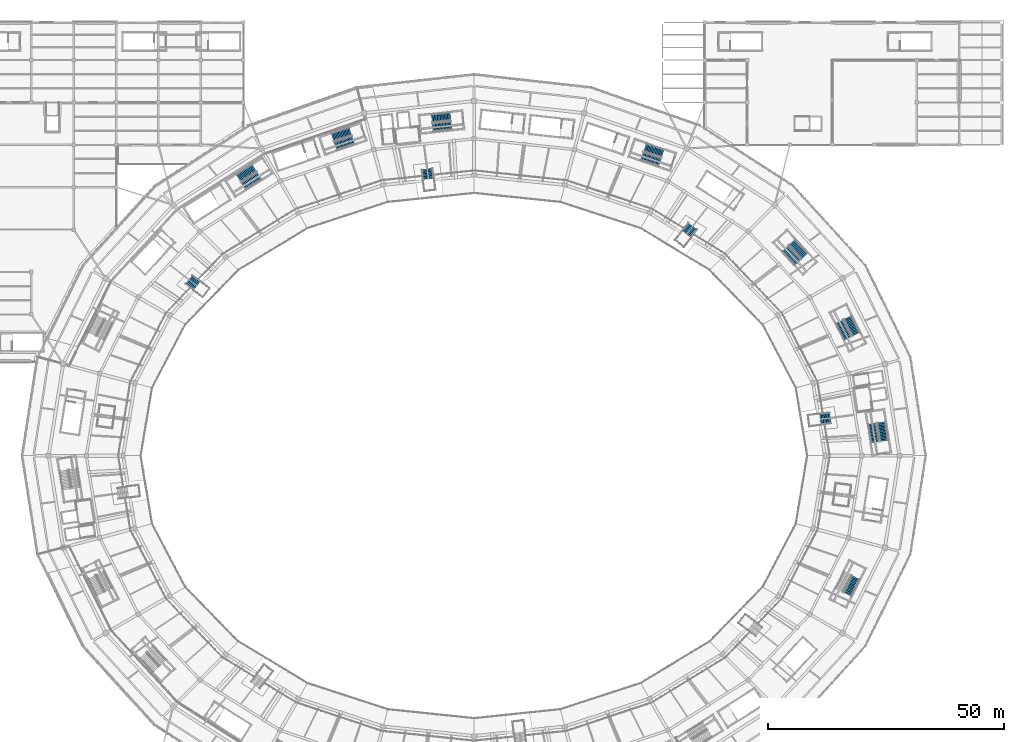
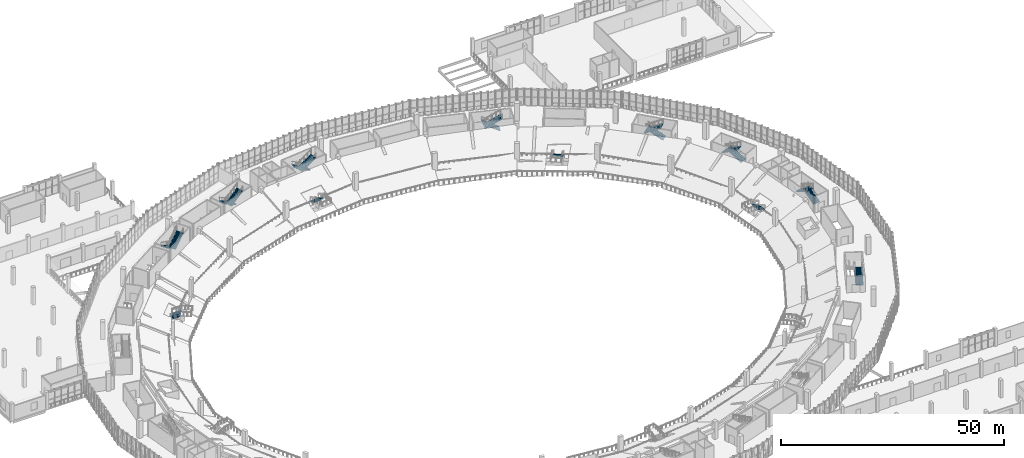
# One storey, part 104 of 152: 19 stair flights, 12 elements without a shape of their own.
"""IFC4 building model written with IfcOpenShell, lengths in metres."""

import ifcopenshell
import ifcopenshell.guid

model = None  # the IFC model being written
_history = None  # IfcOwnerHistory: only IFC2X3 demands one
_inside = {}  # id of a spatial element -> (the spatial element, [elements in it])
_under = {}  # id of a project, library or spatial element -> (it, [spatial elements below it])
_declared = {}  # id of a project -> (the project, [libraries it declares])
_typed = {}  # id of a type object -> (the type object, [elements of that type])
_made_of = {}  # id of a material, layer set ... -> (it, [elements and type objects made of it])


def new_model(schema):
    """Start an empty IFC model of exactly this schema.

    Asked for "IFC4X3", IfcOpenShell would pick the latest addendum, in which some entities
    have other attributes; the version numbers below select the first issue.
    IFC2X3 requires an IfcOwnerHistory on every rooted entity: one is made here for all.
    """
    global model, _history
    if schema == "IFC4X3":
        model = ifcopenshell.file(schema_version=(4, 3, 0, 0))
    else:
        model = ifcopenshell.file(schema=schema)
    _inside.clear()
    _under.clear()
    _declared.clear()
    _typed.clear()
    _made_of.clear()
    _history = None
    if model.schema == "IFC2X3":
        org = make("IfcOrganization", Name="unknown")
        user = make(
            "IfcPersonAndOrganization",
            ThePerson=make("IfcPerson", FamilyName="unknown"),
            TheOrganization=org,
        )
        app = make(
            "IfcApplication",
            ApplicationDeveloper=org,
            Version="unknown",
            ApplicationFullName="unknown",
            ApplicationIdentifier="unknown",
        )
        _history = make(
            "IfcOwnerHistory",
            OwningUser=user,
            OwningApplication=app,
            ChangeAction="ADDED",
            CreationDate=0,
        )
    return model


def make(cls, **values):
    """One entity of the class cls with the attributes given. An attribute that is None is left unset."""
    return model.create_entity(
        cls, **{name: value for name, value in values.items() if value is not None}
    )


def rooted(cls, **values):
    """An entity with a GlobalId (a new one), such as an element, a storey or a relation."""
    return make(cls, GlobalId=ifcopenshell.guid.new(), OwnerHistory=_history, **values)


def si_unit(unit_type, name, prefix=None):
    """IfcSIUnit, for example si_unit("LENGTHUNIT", "METRE", prefix="MILLI")."""
    return make("IfcSIUnit", UnitType=unit_type, Prefix=prefix, Name=name)


def assignment(units):
    """IfcUnitAssignment: the units of a project."""
    return None if units is None else make("IfcUnitAssignment", Units=units)


def point(xyz):
    """IfcCartesianPoint."""
    return None if xyz is None else make("IfcCartesianPoint", Coordinates=xyz)


def direction(xyz):
    """IfcDirection."""
    return None if xyz is None else make("IfcDirection", DirectionRatios=xyz)


def frame(location, z_axis=None, x_axis=None):
    """IfcAxis2Placement3D, a coordinate frame: its origin and axes. An axis left out is left unset."""
    return make(
        "IfcAxis2Placement3D",
        Location=point(location),
        Axis=direction(z_axis),
        RefDirection=direction(x_axis),
    )


def origin():
    """The frame at (0, 0, 0) with its axes left unset."""
    return frame((0.0, 0.0, 0.0))


def place(relative_to, where):
    """IfcLocalPlacement: puts the frame where relative to a parent placement (None: the world)."""
    return make(
        "IfcLocalPlacement", PlacementRelTo=relative_to, RelativePlacement=where
    )


def context(
    kind, dimensions, precision=None, world=None, true_north=None, identifier=None
):
    """IfcGeometricRepresentationContext, for example the 3D "Model" context."""
    return make(
        "IfcGeometricRepresentationContext",
        ContextIdentifier=identifier,
        ContextType=kind,
        CoordinateSpaceDimension=dimensions,
        Precision=precision,
        WorldCoordinateSystem=world,
        TrueNorth=true_north,
    )


def subcontext(parent, identifier, kind, view, scale=None):
    """IfcGeometricRepresentationSubContext, for example "Body" below "Model"."""
    return make(
        "IfcGeometricRepresentationSubContext",
        ContextIdentifier=identifier,
        ContextType=kind,
        ParentContext=parent,
        TargetScale=scale,
        TargetView=view,
    )


def project(units=None, contexts=None):
    """IfcProject with its units and contexts."""
    return rooted(
        "IfcProject",
        Name="project",
        RepresentationContexts=contexts,
        UnitsInContext=assignment(units),
    )


def spatial(cls, under=None, at=None, **own):
    """A site, building, storey or space (cls), placed at a placement, below another one or the project."""
    s = rooted(cls, ObjectPlacement=at, **own)
    if under is not None:
        _under.setdefault(under.id(), (under, []))[1].append(s)
    return s


def polyline(points):
    """IfcPolyline through the points."""
    return make("IfcPolyline", Points=[point(p) for p in points])


def outline(outer, holes=None, kind="AREA"):
    """IfcArbitraryClosedProfileDef: a profile drawn as a closed curve; with holes, ...WithVoids."""
    if holes is None:
        return make("IfcArbitraryClosedProfileDef", ProfileType=kind, OuterCurve=outer)
    return make(
        "IfcArbitraryProfileDefWithVoids",
        ProfileType=kind,
        OuterCurve=outer,
        InnerCurves=holes,
    )


def extrude(swept, where, along, depth):
    """IfcExtrudedAreaSolid: the profile swept, set in the frame where, extruded along a direction by depth."""
    return make(
        "IfcExtrudedAreaSolid",
        SweptArea=swept,
        Position=where,
        ExtrudedDirection=direction(along),
        Depth=depth,
    )


def shape(context_of_items, identifier, shape_type, items):
    """IfcShapeRepresentation: the items that make up one representation, for example the "Body"."""
    return make(
        "IfcShapeRepresentation",
        ContextOfItems=context_of_items,
        RepresentationIdentifier=identifier,
        RepresentationType=shape_type,
        Items=items,
    )


def material(Name=None, Category=None):
    """IfcMaterial."""
    return make("IfcMaterial", Name=Name, Category=Category)


def made_of(thing, what):
    """Note that an element or type object is made of a material, layer set ...; save() writes the relation."""
    if what is not None:
        _made_of.setdefault(what.id(), (what, []))[1].append(thing)
    return thing


def type_object(cls, material=None, **own):
    """A type object (cls), such as IfcWallType, which elements share."""
    return made_of(rooted(cls, **own), material)


def element(
    cls,
    number,
    at=None,
    inside=None,
    cuts=None,
    type_object=None,
    material=None,
    context=None,
    identifier="Body",
    shape_type=None,
    held_by="IfcProductDefinitionShape",
    body=None,
    shapes=None,
    **own,
):
    """One element of the class cls, such as IfcWall. Its Tag is "e" and its number.

    at: its placement. inside: the storey or other place that contains it. cuts: it is an
    opening in that element (IfcRelVoidsElement). A single representation is given by context,
    identifier, shape_type and body (its items); several are given by shapes. held_by: the class
    of the entity that holds the representations. save() writes the other relations.
    """
    e = rooted(cls, Tag="e%d" % number, ObjectPlacement=at, **own)
    if body is not None:
        shapes = [shape(context, identifier, shape_type, body)]
    if shapes is not None:
        e.Representation = make(held_by, Representations=shapes)
    if inside is not None:
        _inside.setdefault(inside.id(), (inside, []))[1].append(e)
    if cuts is not None:
        rooted(
            "IfcRelVoidsElement", RelatingBuildingElement=cuts, RelatedOpeningElement=e
        )
    if type_object is not None:
        _typed.setdefault(type_object.id(), (type_object, []))[1].append(e)
    return made_of(e, material)


def aggregate(whole, parts):
    """IfcRelAggregates: a whole, such as a stair, and the parts it consists of."""
    return rooted("IfcRelAggregates", RelatingObject=whole, RelatedObjects=parts)


def save(model, path):
    """Write the relations noted so far, then the file.

    IfcRelAggregates (storeys below a building ...), IfcRelContainedInSpatialStructure (elements
    in a storey), IfcRelDefinesByType, IfcRelAssociatesMaterial and IfcRelDeclares: one each for
    every whole, place, type object, material and project.
    """
    for whole, parts in _under.values():
        aggregate(whole, parts)
    for where, things in _inside.values():
        rooted(
            "IfcRelContainedInSpatialStructure",
            RelatedElements=things,
            RelatingStructure=where,
        )
    for kind, things in _typed.values():
        rooted("IfcRelDefinesByType", RelatedObjects=things, RelatingType=kind)
    for what, things in _made_of.values():
        rooted("IfcRelAssociatesMaterial", RelatedObjects=things, RelatingMaterial=what)
    for by, libraries in _declared.values():
        rooted("IfcRelDeclares", RelatingContext=by, RelatedDefinitions=libraries)
    model.write(path)


model = new_model("IFC4")

# Units and contexts
model_context = context("Model", 3, precision=1e-05, world=origin(), true_north=direction((0.0, 1.0)))
body_context = subcontext(model_context, "Body", "Model", "MODEL_VIEW")
ifc_project = project(units=[si_unit("LENGTHUNIT", "METRE"), si_unit("AREAUNIT", "SQUARE_METRE"), si_unit("VOLUMEUNIT", "CUBIC_METRE"), si_unit("PLANEANGLEUNIT", "RADIAN"), si_unit("MASSUNIT", "GRAM", prefix="KILO")], contexts=[model_context])

# Site, building, storey
site_placement = place(None, origin())
site = spatial("IfcSite", under=ifc_project, at=site_placement, CompositionType="ELEMENT")
building_placement = place(site_placement, origin())
building = spatial("IfcBuilding", under=site, at=building_placement, Name="Zevraka Park Crest Stadium", CompositionType="ELEMENT")
storey_placement = place(building_placement, frame((0.0, 0.0, 15.0)))
storey = spatial("IfcBuildingStorey", under=building, at=storey_placement, Name="L03", CompositionType="ELEMENT", Elevation=15.0)

# Stair, stair flights
ifc_material_1 = material(Name="Concrete C35/45", Category="concrete")
stair_type_1 = type_object("IfcStairType", Name="STA2", PredefinedType="HALF_TURN_STAIR", material=ifc_material_1)
stair_1_placement = place(storey_placement, origin())
stair_1 = element("IfcStair", 1, at=stair_1_placement, inside=storey, type_object=stair_type_1, Name="L03 Protected Concourse Exit Stair ST01", PredefinedType="HALF_TURN_STAIR")
ifc_material_2 = material(Name="Concrete C35/45", Category="concrete")
stair_flight_type_1 = type_object("IfcStairFlightType", Name="FLA2", PredefinedType="STRAIGHT", material=ifc_material_2)
stair_flight_1_placement = place(storey_placement, frame((199.0859375, 95.17333984375, 0.0), z_axis=(0.0, 0.0, 1.0), x_axis=(-0.157261853897, 0.987556939781, 0.0)))
stair_flight_1 = element("IfcStairFlight", 2, at=stair_flight_1_placement, type_object=stair_flight_type_1, Name="ST01 flight 1", NumberOfRisers=14, NumberOfTreads=13, PredefinedType="STRAIGHT", RiserHeight=0.171428571, TreadLength=0.305, context=body_context, shape_type="SweptSolid", body=[
    extrude(outline(polyline([(0.0, 0.0), (0.0, 0.17138671875), (0.304931640625, 0.17138671875), (0.304931640625, 0.3427734375), (0.610107421875, 0.3427734375), (0.610107421875, 0.514404296875), (0.9150390625, 0.514404296875), (0.9150390625, 0.685791015625), (1.219970703125, 0.685791015625), (1.219970703125, 0.857177734375), (1.52490234375, 0.857177734375), (1.52490234375, 1.028564453125), (1.830078125, 1.028564453125), (1.830078125, 1.199951171875), (2.135009765625, 1.199951171875), (2.135009765625, 1.371337890625), (2.43994140625, 1.371337890625), (2.43994140625, 1.54296875), (2.7451171875, 1.54296875), (2.7451171875, 1.71435546875), (3.050048828125, 1.71435546875), (3.050048828125, 1.8857421875), (3.35498046875, 1.8857421875), (3.35498046875, 2.05712890625), (3.659912109375, 2.05712890625), (3.659912109375, 2.228515625), (3.965087890625, 2.228515625), (3.965087890625, 2.39990234375), (3.965087890625, 2.045166015625), (0.326416015625, 0.0), (0.0, 0.0)])), frame((0.0, 0.89990234375, 0.0), z_axis=(0.0, -1.0, 0.0), x_axis=(1.0, 0.0, 0.0)), (0.0, 0.0, 1.0), 1.800048828125),
])
stair_flight_2_placement = place(storey_placement, frame((196.52685546875, 98.78076171875, 2.39990234375), z_axis=(0.0, 0.0, 1.0), x_axis=(0.157261853897, -0.987556939781, 0.0)))
stair_flight_2 = element("IfcStairFlight", 3, at=stair_flight_2_placement, type_object=stair_flight_type_1, Name="ST01 flight 2", NumberOfRisers=14, NumberOfTreads=13, PredefinedType="STRAIGHT", RiserHeight=0.171428571, TreadLength=0.305, context=body_context, shape_type="SweptSolid", body=[
    extrude(outline(polyline([(0.0, 0.0), (0.0, 0.17138671875), (0.304931640625, 0.17138671875), (0.304931640625, 0.3427734375), (0.610107421875, 0.3427734375), (0.610107421875, 0.514404296875), (0.9150390625, 0.514404296875), (0.9150390625, 0.685791015625), (1.219970703125, 0.685791015625), (1.219970703125, 0.857177734375), (1.52490234375, 0.857177734375), (1.52490234375, 1.028564453125), (1.830078125, 1.028564453125), (1.830078125, 1.199951171875), (2.135009765625, 1.199951171875), (2.135009765625, 1.371337890625), (2.43994140625, 1.371337890625), (2.43994140625, 1.54296875), (2.7451171875, 1.54296875), (2.7451171875, 1.71435546875), (3.050048828125, 1.71435546875), (3.050048828125, 1.8857421875), (3.35498046875, 1.8857421875), (3.35498046875, 2.05712890625), (3.659912109375, 2.05712890625), (3.659912109375, 2.228515625), (3.965087890625, 2.228515625), (3.965087890625, 2.39990234375), (3.965087890625, 2.045166015625), (0.326416015625, 0.0), (0.0, 0.0)])), frame((0.0, 0.89990234375, 0.0), z_axis=(0.0, -1.0, 0.0), x_axis=(1.0, 0.0, 0.0)), (0.0, 0.0, 1.0), 1.800048828125),
])
aggregate(stair_1, [stair_flight_1, stair_flight_2])

stair_2_placement = place(storey_placement, origin())
stair_2 = element("IfcStair", 4, at=stair_2_placement, inside=storey, type_object=stair_type_1, Name="L03 Protected Concourse Exit Stair ST02", PredefinedType="HALF_TURN_STAIR")
stair_flight_3_placement = place(storey_placement, frame((193.1064453125, 117.7939453125, 0.0), z_axis=(0.0, 0.0, 1.0), x_axis=(-0.447915140373, 0.894076074518, 0.0)))
stair_flight_3 = element("IfcStairFlight", 5, at=stair_flight_3_placement, type_object=stair_flight_type_1, Name="ST02 flight 1", NumberOfRisers=14, NumberOfTreads=13, PredefinedType="STRAIGHT", RiserHeight=0.171428571, TreadLength=0.305, context=body_context, shape_type="SweptSolid", body=[
    extrude(outline(polyline([(0.0, 0.0), (0.0, 0.17138671875), (0.304931640625, 0.17138671875), (0.304931640625, 0.3427734375), (0.610107421875, 0.3427734375), (0.610107421875, 0.514404296875), (0.9150390625, 0.514404296875), (0.9150390625, 0.685791015625), (1.219970703125, 0.685791015625), (1.219970703125, 0.857177734375), (1.52490234375, 0.857177734375), (1.52490234375, 1.028564453125), (1.830078125, 1.028564453125), (1.830078125, 1.199951171875), (2.135009765625, 1.199951171875), (2.135009765625, 1.371337890625), (2.43994140625, 1.371337890625), (2.43994140625, 1.54296875), (2.7451171875, 1.54296875), (2.7451171875, 1.71435546875), (3.050048828125, 1.71435546875), (3.050048828125, 1.8857421875), (3.35498046875, 1.8857421875), (3.35498046875, 2.05712890625), (3.659912109375, 2.05712890625), (3.659912109375, 2.228515625), (3.965087890625, 2.228515625), (3.965087890625, 2.39990234375), (3.965087890625, 2.045166015625), (0.326416015625, 0.0), (0.0, 0.0)])), frame((0.0, 0.89990234375, 0.0), z_axis=(0.0, -1.0, 0.0), x_axis=(1.0, 0.0, 0.0)), (0.0, 0.0, 1.0), 1.800048828125),
])
stair_flight_4_placement = place(storey_placement, frame((189.578125, 120.461181640625, 2.39990234375), z_axis=(0.0, 0.0, 1.0), x_axis=(0.447915140373, -0.894076074518, 0.0)))
stair_flight_4 = element("IfcStairFlight", 6, at=stair_flight_4_placement, type_object=stair_flight_type_1, Name="ST02 flight 2", NumberOfRisers=14, NumberOfTreads=13, PredefinedType="STRAIGHT", RiserHeight=0.171428571, TreadLength=0.305, context=body_context, shape_type="SweptSolid", body=[
    extrude(outline(polyline([(0.0, 0.0), (0.0, 0.17138671875), (0.304931640625, 0.17138671875), (0.304931640625, 0.3427734375), (0.610107421875, 0.3427734375), (0.610107421875, 0.514404296875), (0.9150390625, 0.514404296875), (0.9150390625, 0.685791015625), (1.219970703125, 0.685791015625), (1.219970703125, 0.857177734375), (1.52490234375, 0.857177734375), (1.52490234375, 1.028564453125), (1.830078125, 1.028564453125), (1.830078125, 1.199951171875), (2.135009765625, 1.199951171875), (2.135009765625, 1.371337890625), (2.43994140625, 1.371337890625), (2.43994140625, 1.54296875), (2.7451171875, 1.54296875), (2.7451171875, 1.71435546875), (3.050048828125, 1.71435546875), (3.050048828125, 1.8857421875), (3.35498046875, 1.8857421875), (3.35498046875, 2.05712890625), (3.659912109375, 2.05712890625), (3.659912109375, 2.228515625), (3.965087890625, 2.228515625), (3.965087890625, 2.39990234375), (3.965087890625, 2.045166015625), (0.326416015625, 0.0), (0.0, 0.0)])), frame((0.0, 0.89990234375, 0.0), z_axis=(0.0, -1.0, 0.0), x_axis=(1.0, 0.0, 0.0)), (0.0, 0.0, 1.0), 1.800048828125),
])
aggregate(stair_2, [stair_flight_3, stair_flight_4])

stair_3_placement = place(storey_placement, origin())
stair_3 = element("IfcStair", 7, at=stair_3_placement, inside=storey, type_object=stair_type_1, Name="L03 Protected Concourse Exit Stair ST03", PredefinedType="HALF_TURN_STAIR")
stair_flight_5_placement = place(storey_placement, frame((182.212646484375, 134.396240234375, 0.0), z_axis=(0.0, 0.0, 1.0), x_axis=(-0.680255347227, 0.732975212793, 0.0)))
stair_flight_5 = element("IfcStairFlight", 8, at=stair_flight_5_placement, type_object=stair_flight_type_1, Name="ST03 flight 1", NumberOfRisers=14, NumberOfTreads=13, PredefinedType="STRAIGHT", RiserHeight=0.171428571, TreadLength=0.305, context=body_context, shape_type="SweptSolid", body=[
    extrude(outline(polyline([(0.0, 0.0), (0.0, 0.17138671875), (0.304931640625, 0.17138671875), (0.304931640625, 0.3427734375), (0.610107421875, 0.3427734375), (0.610107421875, 0.514404296875), (0.9150390625, 0.514404296875), (0.9150390625, 0.685791015625), (1.219970703125, 0.685791015625), (1.219970703125, 0.857177734375), (1.52490234375, 0.857177734375), (1.52490234375, 1.028564453125), (1.830078125, 1.028564453125), (1.830078125, 1.199951171875), (2.135009765625, 1.199951171875), (2.135009765625, 1.371337890625), (2.43994140625, 1.371337890625), (2.43994140625, 1.54296875), (2.7451171875, 1.54296875), (2.7451171875, 1.71435546875), (3.050048828125, 1.71435546875), (3.050048828125, 1.8857421875), (3.35498046875, 1.8857421875), (3.35498046875, 2.05712890625), (3.659912109375, 2.05712890625), (3.659912109375, 2.228515625), (3.965087890625, 2.228515625), (3.965087890625, 2.39990234375), (3.965087890625, 2.045166015625), (0.326416015625, 0.0), (0.0, 0.0)])), frame((0.0, 0.89990234375, 0.0), z_axis=(0.0, -1.0, 0.0), x_axis=(1.0, 0.0, 0.0)), (0.0, 0.0, 1.0), 1.800048828125),
])
stair_flight_6_placement = place(storey_placement, frame((178.078857421875, 135.96923828125, 2.39990234375), z_axis=(0.0, 0.0, 1.0), x_axis=(0.680255347227, -0.732975212793, 0.0)))
stair_flight_6 = element("IfcStairFlight", 9, at=stair_flight_6_placement, type_object=stair_flight_type_1, Name="ST03 flight 2", NumberOfRisers=14, NumberOfTreads=13, PredefinedType="STRAIGHT", RiserHeight=0.171428571, TreadLength=0.305, context=body_context, shape_type="SweptSolid", body=[
    extrude(outline(polyline([(0.0, 0.0), (0.0, 0.17138671875), (0.304931640625, 0.17138671875), (0.304931640625, 0.3427734375), (0.610107421875, 0.3427734375), (0.610107421875, 0.514404296875), (0.9150390625, 0.514404296875), (0.9150390625, 0.685791015625), (1.219970703125, 0.685791015625), (1.219970703125, 0.857177734375), (1.52490234375, 0.857177734375), (1.52490234375, 1.028564453125), (1.830078125, 1.028564453125), (1.830078125, 1.199951171875), (2.135009765625, 1.199951171875), (2.135009765625, 1.371337890625), (2.43994140625, 1.371337890625), (2.43994140625, 1.54296875), (2.7451171875, 1.54296875), (2.7451171875, 1.71435546875), (3.050048828125, 1.71435546875), (3.050048828125, 1.8857421875), (3.35498046875, 1.8857421875), (3.35498046875, 2.05712890625), (3.659912109375, 2.05712890625), (3.659912109375, 2.228515625), (3.965087890625, 2.228515625), (3.965087890625, 2.39990234375), (3.965087890625, 2.045166015625), (0.326416015625, 0.0), (0.0, 0.0)])), frame((0.0, 0.89990234375, 0.0), z_axis=(0.0, -1.0, 0.0), x_axis=(1.0, 0.0, 0.0)), (0.0, 0.0, 1.0), 1.800048828125),
])
aggregate(stair_3, [stair_flight_5, stair_flight_6])

stair_4_placement = place(storey_placement, origin())
stair_4 = element("IfcStair", 10, at=stair_4_placement, inside=storey, type_object=stair_type_1, Name="L03 Protected Concourse Exit Stair ST05", PredefinedType="HALF_TURN_STAIR")
stair_flight_7_placement = place(storey_placement, frame((152.057373046875, 156.154541015625, 0.0), z_axis=(0.0, 0.0, 1.0), x_axis=(-0.946066135515, 0.323973559463, 0.0)))
stair_flight_7 = element("IfcStairFlight", 11, at=stair_flight_7_placement, type_object=stair_flight_type_1, Name="ST05 flight 1", NumberOfRisers=14, NumberOfTreads=13, PredefinedType="STRAIGHT", RiserHeight=0.171428571, TreadLength=0.305, context=body_context, shape_type="SweptSolid", body=[
    extrude(outline(polyline([(0.0, 0.0), (0.0, 0.17138671875), (0.304931640625, 0.17138671875), (0.304931640625, 0.3427734375), (0.610107421875, 0.3427734375), (0.610107421875, 0.514404296875), (0.9150390625, 0.514404296875), (0.9150390625, 0.685791015625), (1.219970703125, 0.685791015625), (1.219970703125, 0.857177734375), (1.52490234375, 0.857177734375), (1.52490234375, 1.028564453125), (1.830078125, 1.028564453125), (1.830078125, 1.199951171875), (2.135009765625, 1.199951171875), (2.135009765625, 1.371337890625), (2.43994140625, 1.371337890625), (2.43994140625, 1.54296875), (2.7451171875, 1.54296875), (2.7451171875, 1.71435546875), (3.050048828125, 1.71435546875), (3.050048828125, 1.8857421875), (3.35498046875, 1.8857421875), (3.35498046875, 2.05712890625), (3.659912109375, 2.05712890625), (3.659912109375, 2.228515625), (3.965087890625, 2.228515625), (3.965087890625, 2.39990234375), (3.965087890625, 2.045166015625), (0.326416015625, 0.0), (0.0, 0.0)])), frame((0.0, 0.89990234375, 0.0), z_axis=(0.0, -1.0, 0.0), x_axis=(1.0, 0.0, 0.0)), (0.0, 0.0, 1.0), 1.800048828125),
])
stair_flight_8_placement = place(storey_placement, frame((147.671142578125, 155.584716796875, 2.39990234375), z_axis=(0.0, 0.0, 1.0), x_axis=(0.946066135515, -0.323973559463, 0.0)))
stair_flight_8 = element("IfcStairFlight", 12, at=stair_flight_8_placement, type_object=stair_flight_type_1, Name="ST05 flight 2", NumberOfRisers=14, NumberOfTreads=13, PredefinedType="STRAIGHT", RiserHeight=0.171428571, TreadLength=0.305, context=body_context, shape_type="SweptSolid", body=[
    extrude(outline(polyline([(0.0, 0.0), (0.0, 0.17138671875), (0.304931640625, 0.17138671875), (0.304931640625, 0.3427734375), (0.610107421875, 0.3427734375), (0.610107421875, 0.514404296875), (0.9150390625, 0.514404296875), (0.9150390625, 0.685791015625), (1.219970703125, 0.685791015625), (1.219970703125, 0.857177734375), (1.52490234375, 0.857177734375), (1.52490234375, 1.028564453125), (1.830078125, 1.028564453125), (1.830078125, 1.199951171875), (2.135009765625, 1.199951171875), (2.135009765625, 1.371337890625), (2.43994140625, 1.371337890625), (2.43994140625, 1.54296875), (2.7451171875, 1.54296875), (2.7451171875, 1.71435546875), (3.050048828125, 1.71435546875), (3.050048828125, 1.8857421875), (3.35498046875, 1.8857421875), (3.35498046875, 2.05712890625), (3.659912109375, 2.05712890625), (3.659912109375, 2.228515625), (3.965087890625, 2.228515625), (3.965087890625, 2.39990234375), (3.965087890625, 2.045166015625), (0.326416015625, 0.0), (0.0, 0.0)])), frame((0.0, 0.89990234375, 0.0), z_axis=(0.0, -1.0, 0.0), x_axis=(1.0, 0.0, 0.0)), (0.0, 0.0, 1.0), 1.800048828125),
])
aggregate(stair_4, [stair_flight_7, stair_flight_8])

stair_5_placement = place(storey_placement, origin())
stair_5 = element("IfcStair", 13, at=stair_5_placement, inside=storey, type_object=stair_type_1, Name="L03 Protected Concourse Exit Stair ST07", PredefinedType="HALF_TURN_STAIR")
stair_flight_9_placement = place(storey_placement, frame((106.97509765625, 164.038818359375, 0.0), z_axis=(0.0, 0.0, 1.0), x_axis=(-0.994127567381, -0.108214508149, 0.0)))
stair_flight_9 = element("IfcStairFlight", 14, at=stair_flight_9_placement, type_object=stair_flight_type_1, Name="ST07 flight 1", NumberOfRisers=14, NumberOfTreads=13, PredefinedType="STRAIGHT", RiserHeight=0.171428571, TreadLength=0.305, context=body_context, shape_type="SweptSolid", body=[
    extrude(outline(polyline([(0.0, 0.0), (0.0, 0.17138671875), (0.304931640625, 0.17138671875), (0.304931640625, 0.3427734375), (0.610107421875, 0.3427734375), (0.610107421875, 0.514404296875), (0.9150390625, 0.514404296875), (0.9150390625, 0.685791015625), (1.219970703125, 0.685791015625), (1.219970703125, 0.857177734375), (1.52490234375, 0.857177734375), (1.52490234375, 1.028564453125), (1.830078125, 1.028564453125), (1.830078125, 1.199951171875), (2.135009765625, 1.199951171875), (2.135009765625, 1.371337890625), (2.43994140625, 1.371337890625), (2.43994140625, 1.54296875), (2.7451171875, 1.54296875), (2.7451171875, 1.71435546875), (3.050048828125, 1.71435546875), (3.050048828125, 1.8857421875), (3.35498046875, 1.8857421875), (3.35498046875, 2.05712890625), (3.659912109375, 2.05712890625), (3.659912109375, 2.228515625), (3.965087890625, 2.228515625), (3.965087890625, 2.39990234375), (3.965087890625, 2.045166015625), (0.326416015625, 0.0), (0.0, 0.0)])), frame((0.0, 0.89990234375, 0.0), z_axis=(0.0, -1.0, 0.0), x_axis=(1.0, 0.0, 0.0)), (0.0, 0.0, 1.0), 1.800048828125),
])
stair_flight_10_placement = place(storey_placement, frame((103.245361328125, 161.6611328125, 2.39990234375), z_axis=(0.0, 0.0, 1.0), x_axis=(0.994127567381, 0.108214508149, 0.0)))
stair_flight_10 = element("IfcStairFlight", 15, at=stair_flight_10_placement, type_object=stair_flight_type_1, Name="ST07 flight 2", NumberOfRisers=14, NumberOfTreads=13, PredefinedType="STRAIGHT", RiserHeight=0.171428571, TreadLength=0.305, context=body_context, shape_type="SweptSolid", body=[
    extrude(outline(polyline([(0.0, 0.0), (0.0, 0.17138671875), (0.304931640625, 0.17138671875), (0.304931640625, 0.3427734375), (0.610107421875, 0.3427734375), (0.610107421875, 0.514404296875), (0.9150390625, 0.514404296875), (0.9150390625, 0.685791015625), (1.219970703125, 0.685791015625), (1.219970703125, 0.857177734375), (1.52490234375, 0.857177734375), (1.52490234375, 1.028564453125), (1.830078125, 1.028564453125), (1.830078125, 1.199951171875), (2.135009765625, 1.199951171875), (2.135009765625, 1.371337890625), (2.43994140625, 1.371337890625), (2.43994140625, 1.54296875), (2.7451171875, 1.54296875), (2.7451171875, 1.71435546875), (3.050048828125, 1.71435546875), (3.050048828125, 1.8857421875), (3.35498046875, 1.8857421875), (3.35498046875, 2.05712890625), (3.659912109375, 2.05712890625), (3.659912109375, 2.228515625), (3.965087890625, 2.228515625), (3.965087890625, 2.39990234375), (3.965087890625, 2.045166015625), (0.326416015625, 0.0), (0.0, 0.0)])), frame((0.0, 0.89990234375, 0.0), z_axis=(0.0, -1.0, 0.0), x_axis=(1.0, 0.0, 0.0)), (0.0, 0.0, 1.0), 1.800048828125),
])
aggregate(stair_5, [stair_flight_9, stair_flight_10])

stair_6_placement = place(storey_placement, origin())
stair_6 = element("IfcStair", 16, at=stair_6_placement, inside=storey, type_object=stair_type_1, Name="L03 Protected Concourse Exit Stair ST08", PredefinedType="HALF_TURN_STAIR")
stair_flight_11_placement = place(storey_placement, frame((85.70849609375, 160.86767578125, 0.0), z_axis=(0.0, 0.0, 1.0), x_axis=(-0.946066135515, -0.323973559463, 0.0)))
stair_flight_11 = element("IfcStairFlight", 17, at=stair_flight_11_placement, type_object=stair_flight_type_1, Name="ST08 flight 1", NumberOfRisers=14, NumberOfTreads=13, PredefinedType="STRAIGHT", RiserHeight=0.171428571, TreadLength=0.305, context=body_context, shape_type="SweptSolid", body=[
    extrude(outline(polyline([(0.0, 0.0), (0.0, 0.17138671875), (0.304931640625, 0.17138671875), (0.304931640625, 0.3427734375), (0.610107421875, 0.3427734375), (0.610107421875, 0.514404296875), (0.9150390625, 0.514404296875), (0.9150390625, 0.685791015625), (1.219970703125, 0.685791015625), (1.219970703125, 0.857177734375), (1.52490234375, 0.857177734375), (1.52490234375, 1.028564453125), (1.830078125, 1.028564453125), (1.830078125, 1.199951171875), (2.135009765625, 1.199951171875), (2.135009765625, 1.371337890625), (2.43994140625, 1.371337890625), (2.43994140625, 1.54296875), (2.7451171875, 1.54296875), (2.7451171875, 1.71435546875), (3.050048828125, 1.71435546875), (3.050048828125, 1.8857421875), (3.35498046875, 1.8857421875), (3.35498046875, 2.05712890625), (3.659912109375, 2.05712890625), (3.659912109375, 2.228515625), (3.965087890625, 2.228515625), (3.965087890625, 2.39990234375), (3.965087890625, 2.045166015625), (0.326416015625, 0.0), (0.0, 0.0)])), frame((0.0, 0.89990234375, 0.0), z_axis=(0.0, -1.0, 0.0), x_axis=(1.0, 0.0, 0.0)), (0.0, 0.0, 1.0), 1.800048828125),
])
stair_flight_12_placement = place(storey_placement, frame((82.59228515625, 157.728759765625, 2.39990234375), z_axis=(0.0, 0.0, 1.0), x_axis=(0.946066135515, 0.323973559463, 0.0)))
stair_flight_12 = element("IfcStairFlight", 18, at=stair_flight_12_placement, type_object=stair_flight_type_1, Name="ST08 flight 2", NumberOfRisers=14, NumberOfTreads=13, PredefinedType="STRAIGHT", RiserHeight=0.171428571, TreadLength=0.305, context=body_context, shape_type="SweptSolid", body=[
    extrude(outline(polyline([(0.0, 0.0), (0.0, 0.17138671875), (0.304931640625, 0.17138671875), (0.304931640625, 0.3427734375), (0.610107421875, 0.3427734375), (0.610107421875, 0.514404296875), (0.9150390625, 0.514404296875), (0.9150390625, 0.685791015625), (1.219970703125, 0.685791015625), (1.219970703125, 0.857177734375), (1.52490234375, 0.857177734375), (1.52490234375, 1.028564453125), (1.830078125, 1.028564453125), (1.830078125, 1.199951171875), (2.135009765625, 1.199951171875), (2.135009765625, 1.371337890625), (2.43994140625, 1.371337890625), (2.43994140625, 1.54296875), (2.7451171875, 1.54296875), (2.7451171875, 1.71435546875), (3.050048828125, 1.71435546875), (3.050048828125, 1.8857421875), (3.35498046875, 1.8857421875), (3.35498046875, 2.05712890625), (3.659912109375, 2.05712890625), (3.659912109375, 2.228515625), (3.965087890625, 2.228515625), (3.965087890625, 2.39990234375), (3.965087890625, 2.045166015625), (0.326416015625, 0.0), (0.0, 0.0)])), frame((0.0, 0.89990234375, 0.0), z_axis=(0.0, -1.0, 0.0), x_axis=(1.0, 0.0, 0.0)), (0.0, 0.0, 1.0), 1.800048828125),
])
aggregate(stair_6, [stair_flight_11, stair_flight_12])

stair_7_placement = place(storey_placement, origin())
stair_7 = element("IfcStair", 19, at=stair_7_placement, inside=storey, type_object=stair_type_1, Name="L03 Protected Concourse Exit Stair ST09", PredefinedType="HALF_TURN_STAIR")
stair_flight_13_placement = place(storey_placement, frame((65.35009765625, 153.042724609375, 0.0), z_axis=(0.0, 0.0, 1.0), x_axis=(-0.844397122829, -0.535717741874, 0.0)))
stair_flight_13 = element("IfcStairFlight", 20, at=stair_flight_13_placement, type_object=stair_flight_type_1, Name="ST09 flight 1", NumberOfRisers=14, NumberOfTreads=13, PredefinedType="STRAIGHT", RiserHeight=0.171428571, TreadLength=0.305, context=body_context, shape_type="SweptSolid", body=[
    extrude(outline(polyline([(0.0, 0.0), (0.0, 0.17138671875), (0.304931640625, 0.17138671875), (0.304931640625, 0.3427734375), (0.610107421875, 0.3427734375), (0.610107421875, 0.514404296875), (0.9150390625, 0.514404296875), (0.9150390625, 0.685791015625), (1.219970703125, 0.685791015625), (1.219970703125, 0.857177734375), (1.52490234375, 0.857177734375), (1.52490234375, 1.028564453125), (1.830078125, 1.028564453125), (1.830078125, 1.199951171875), (2.135009765625, 1.199951171875), (2.135009765625, 1.371337890625), (2.43994140625, 1.371337890625), (2.43994140625, 1.54296875), (2.7451171875, 1.54296875), (2.7451171875, 1.71435546875), (3.050048828125, 1.71435546875), (3.050048828125, 1.8857421875), (3.35498046875, 1.8857421875), (3.35498046875, 2.05712890625), (3.659912109375, 2.05712890625), (3.659912109375, 2.228515625), (3.965087890625, 2.228515625), (3.965087890625, 2.39990234375), (3.965087890625, 2.045166015625), (0.326416015625, 0.0), (0.0, 0.0)])), frame((0.0, 0.89990234375, 0.0), z_axis=(0.0, -1.0, 0.0), x_axis=(1.0, 0.0, 0.0)), (0.0, 0.0, 1.0), 1.800048828125),
])
stair_flight_14_placement = place(storey_placement, frame((63.05224609375, 149.263671875, 2.39990234375), z_axis=(0.0, 0.0, 1.0), x_axis=(0.844397122829, 0.535717741874, 0.0)))
stair_flight_14 = element("IfcStairFlight", 21, at=stair_flight_14_placement, type_object=stair_flight_type_1, Name="ST09 flight 2", NumberOfRisers=14, NumberOfTreads=13, PredefinedType="STRAIGHT", RiserHeight=0.171428571, TreadLength=0.305, context=body_context, shape_type="SweptSolid", body=[
    extrude(outline(polyline([(0.0, 0.0), (0.0, 0.17138671875), (0.304931640625, 0.17138671875), (0.304931640625, 0.3427734375), (0.610107421875, 0.3427734375), (0.610107421875, 0.514404296875), (0.9150390625, 0.514404296875), (0.9150390625, 0.685791015625), (1.219970703125, 0.685791015625), (1.219970703125, 0.857177734375), (1.52490234375, 0.857177734375), (1.52490234375, 1.028564453125), (1.830078125, 1.028564453125), (1.830078125, 1.199951171875), (2.135009765625, 1.199951171875), (2.135009765625, 1.371337890625), (2.43994140625, 1.371337890625), (2.43994140625, 1.54296875), (2.7451171875, 1.54296875), (2.7451171875, 1.71435546875), (3.050048828125, 1.71435546875), (3.050048828125, 1.8857421875), (3.35498046875, 1.8857421875), (3.35498046875, 2.05712890625), (3.659912109375, 2.05712890625), (3.659912109375, 2.228515625), (3.965087890625, 2.228515625), (3.965087890625, 2.39990234375), (3.965087890625, 2.045166015625), (0.326416015625, 0.0), (0.0, 0.0)])), frame((0.0, 0.89990234375, 0.0), z_axis=(0.0, -1.0, 0.0), x_axis=(1.0, 0.0, 0.0)), (0.0, 0.0, 1.0), 1.800048828125),
])
aggregate(stair_7, [stair_flight_13, stair_flight_14])

# Stair, stair flight
stair_8_placement = place(storey_placement, origin())
stair_8 = element("IfcStair", 22, at=stair_8_placement, inside=storey, type_object=stair_type_1, Name="L03 Protected Concourse Exit Stair ST23", PredefinedType="HALF_TURN_STAIR")
stair_flight_15_placement = place(storey_placement, frame((191.292236328125, 62.584228515625, 0.0), z_axis=(0.0, 0.0, 1.0), x_axis=(0.447915140373, 0.894076074518, 0.0)))
stair_flight_15 = element("IfcStairFlight", 23, at=stair_flight_15_placement, type_object=stair_flight_type_1, Name="ST23 flight 1", NumberOfRisers=14, NumberOfTreads=13, PredefinedType="STRAIGHT", RiserHeight=0.171428571, TreadLength=0.305, context=body_context, shape_type="SweptSolid", body=[
    extrude(outline(polyline([(0.0, 0.0), (0.0, 0.17138671875), (0.304931640625, 0.17138671875), (0.304931640625, 0.3427734375), (0.610107421875, 0.3427734375), (0.610107421875, 0.514404296875), (0.9150390625, 0.514404296875), (0.9150390625, 0.685791015625), (1.219970703125, 0.685791015625), (1.219970703125, 0.857177734375), (1.52490234375, 0.857177734375), (1.52490234375, 1.028564453125), (1.830078125, 1.028564453125), (1.830078125, 1.199951171875), (2.135009765625, 1.199951171875), (2.135009765625, 1.371337890625), (2.43994140625, 1.371337890625), (2.43994140625, 1.54296875), (2.7451171875, 1.54296875), (2.7451171875, 1.71435546875), (3.050048828125, 1.71435546875), (3.050048828125, 1.8857421875), (3.35498046875, 1.8857421875), (3.35498046875, 2.05712890625), (3.659912109375, 2.05712890625), (3.659912109375, 2.228515625), (3.965087890625, 2.228515625), (3.965087890625, 2.39990234375), (3.965087890625, 2.045166015625), (0.326416015625, 0.0), (0.0, 0.0)])), frame((0.0, 0.89990234375, 0.0), z_axis=(0.0, -1.0, 0.0), x_axis=(1.0, 0.0, 0.0)), (0.0, 0.0, 1.0), 1.800048828125),
])
aggregate(stair_8, [stair_flight_15])

ifc_material_3 = material(Name="Concrete C35/45", Category="concrete")
stair_type_2 = type_object("IfcStairType", Name="VST1", PredefinedType="STRAIGHT_RUN_STAIR", material=ifc_material_3)
stair_9_placement = place(storey_placement, origin())
stair_9 = element("IfcStair", 24, at=stair_9_placement, inside=storey, type_object=stair_type_2, Name="Vomitory Stair VS-09", PredefinedType="STRAIGHT_RUN_STAIR")
ifc_material_4 = material(Name="Concrete C35/45", Category="concrete")
stair_flight_type_2 = type_object("IfcStairFlightType", Name="FLVS", PredefinedType="STRAIGHT", material=ifc_material_4)
stair_flight_16_placement = place(storey_placement, frame((187.610107421875, 100.012939453125, 0.0), z_axis=(0.0, 0.0, 1.0), x_axis=(-0.991443950105, -0.130533113808, 0.0)))
stair_flight_16 = element("IfcStairFlight", 25, at=stair_flight_16_placement, type_object=stair_flight_type_2, Name="VST1 flight 1", NumberOfRisers=8, NumberOfTreads=7, PredefinedType="STRAIGHT", RiserHeight=0.15, TreadLength=0.3, context=body_context, shape_type="SweptSolid", body=[
    extrude(outline(polyline([(0.0, 0.0), (0.0, 0.14990234375), (0.300048828125, 0.14990234375), (0.300048828125, 0.300048828125), (0.60009765625, 0.300048828125), (0.60009765625, 0.449951171875), (0.89990234375, 0.449951171875), (0.89990234375, 0.60009765625), (1.199951171875, 0.60009765625), (1.199951171875, 0.75), (1.5, 0.75), (1.5, 0.89990234375), (1.800048828125, 0.89990234375), (1.800048828125, 1.050048828125), (2.10009765625, 1.050048828125), (2.10009765625, 1.199951171875), (2.10009765625, 0.848876953125), (0.40234375, 0.0), (0.0, 0.0)])), frame((0.0, 1.199951171875, 0.0), z_axis=(0.0, -1.0, 0.0), x_axis=(1.0, 0.0, 0.0)), (0.0, 0.0, 1.0), 2.39990234375),
])
aggregate(stair_9, [stair_flight_16])

stair_10_placement = place(storey_placement, origin())
stair_10 = element("IfcStair", 26, at=stair_10_placement, inside=storey, type_object=stair_type_2, Name="Vomitory Stair VS-10", PredefinedType="STRAIGHT_RUN_STAIR")
stair_flight_17_placement = place(storey_placement, frame((158.426025390625, 140.705078125, 0.0), z_axis=(0.0, 0.0, 1.0), x_axis=(-0.608797429615, -0.793325714757, 0.0)))
stair_flight_17 = element("IfcStairFlight", 27, at=stair_flight_17_placement, type_object=stair_flight_type_2, Name="VST1 flight 1", NumberOfRisers=8, NumberOfTreads=7, PredefinedType="STRAIGHT", RiserHeight=0.15, TreadLength=0.3, context=body_context, shape_type="SweptSolid", body=[
    extrude(outline(polyline([(0.0, 0.0), (0.0, 0.14990234375), (0.300048828125, 0.14990234375), (0.300048828125, 0.300048828125), (0.60009765625, 0.300048828125), (0.60009765625, 0.449951171875), (0.89990234375, 0.449951171875), (0.89990234375, 0.60009765625), (1.199951171875, 0.60009765625), (1.199951171875, 0.75), (1.5, 0.75), (1.5, 0.89990234375), (1.800048828125, 0.89990234375), (1.800048828125, 1.050048828125), (2.10009765625, 1.050048828125), (2.10009765625, 1.199951171875), (2.10009765625, 0.848876953125), (0.40234375, 0.0), (0.0, 0.0)])), frame((0.0, 1.199951171875, 0.0), z_axis=(0.0, -1.0, 0.0), x_axis=(1.0, 0.0, 0.0)), (0.0, 0.0, 1.0), 2.39990234375),
])
aggregate(stair_10, [stair_flight_17])

stair_11_placement = place(storey_placement, origin())
stair_11 = element("IfcStair", 28, at=stair_11_placement, inside=storey, type_object=stair_type_2, Name="Vomitory Stair VS-11", PredefinedType="STRAIGHT_RUN_STAIR")
stair_flight_18_placement = place(storey_placement, frame((102.0458984375, 152.865966796875, 0.0), z_axis=(0.0, 0.0, 1.0), x_axis=(0.130541765783, -0.991442810951, 0.0)))
stair_flight_18 = element("IfcStairFlight", 29, at=stair_flight_18_placement, type_object=stair_flight_type_2, Name="VST1 flight 1", NumberOfRisers=8, NumberOfTreads=7, PredefinedType="STRAIGHT", RiserHeight=0.15, TreadLength=0.3, context=body_context, shape_type="SweptSolid", body=[
    extrude(outline(polyline([(0.0, 0.0), (0.0, 0.14990234375), (0.300048828125, 0.14990234375), (0.300048828125, 0.300048828125), (0.60009765625, 0.300048828125), (0.60009765625, 0.449951171875), (0.89990234375, 0.449951171875), (0.89990234375, 0.60009765625), (1.199951171875, 0.60009765625), (1.199951171875, 0.75), (1.5, 0.75), (1.5, 0.89990234375), (1.800048828125, 0.89990234375), (1.800048828125, 1.050048828125), (2.10009765625, 1.050048828125), (2.10009765625, 1.199951171875), (2.10009765625, 0.848876953125), (0.40234375, 0.0), (0.0, 0.0)])), frame((0.0, 1.199951171875, 0.0), z_axis=(0.0, -1.0, 0.0), x_axis=(1.0, 0.0, 0.0)), (0.0, 0.0, 1.0), 2.39990234375),
])
aggregate(stair_11, [stair_flight_18])

stair_12_placement = place(storey_placement, origin())
stair_12 = element("IfcStair", 30, at=stair_12_placement, inside=storey, type_object=stair_type_2, Name="Vomitory Stair VS-12", PredefinedType="STRAIGHT_RUN_STAIR")
stair_flight_19_placement = place(storey_placement, frame((51.4970703125, 129.3720703125, 0.0), z_axis=(0.0, 0.0, 1.0), x_axis=(0.793380964192, -0.608725427149, 0.0)))
stair_flight_19 = element("IfcStairFlight", 31, at=stair_flight_19_placement, type_object=stair_flight_type_2, Name="VST1 flight 1", NumberOfRisers=8, NumberOfTreads=7, PredefinedType="STRAIGHT", RiserHeight=0.15, TreadLength=0.3, context=body_context, shape_type="SweptSolid", body=[
    extrude(outline(polyline([(0.0, 0.0), (0.0, 0.14990234375), (0.300048828125, 0.14990234375), (0.300048828125, 0.300048828125), (0.60009765625, 0.300048828125), (0.60009765625, 0.449951171875), (0.89990234375, 0.449951171875), (0.89990234375, 0.60009765625), (1.199951171875, 0.60009765625), (1.199951171875, 0.75), (1.5, 0.75), (1.5, 0.89990234375), (1.800048828125, 0.89990234375), (1.800048828125, 1.050048828125), (2.10009765625, 1.050048828125), (2.10009765625, 1.199951171875), (2.10009765625, 0.848876953125), (0.40234375, 0.0), (0.0, 0.0)])), frame((0.0, 1.199951171875, 0.0), z_axis=(0.0, -1.0, 0.0), x_axis=(1.0, 0.0, 0.0)), (0.0, 0.0, 1.0), 2.39990234375),
])
aggregate(stair_12, [stair_flight_19])

save(model, "model.ifc")
